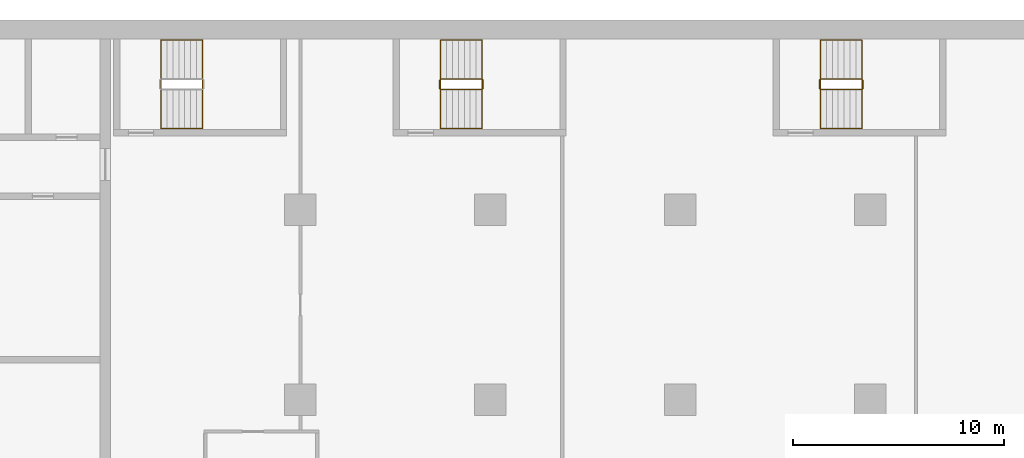
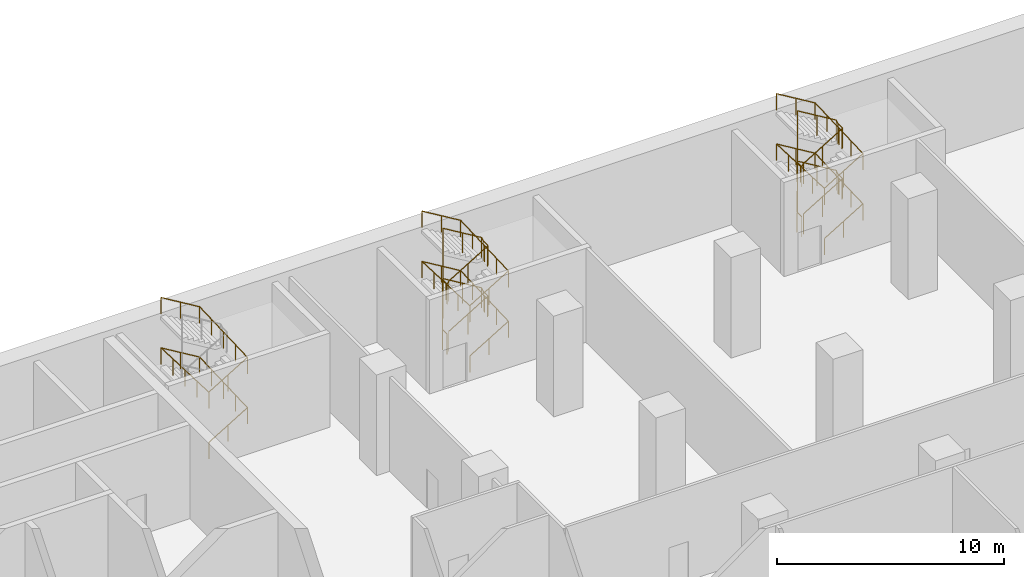
# One storey, part 36 of 43: 5 railings.
"""IFC4 building model written with IfcOpenShell, lengths in metres."""

from ifc_helpers import new_model, si_unit, direction, frame, origin, origin_2d, place, context, subcontext, project, spatial, circle, extrude, material, type_object, element, save


model = new_model("IFC4")

# Units and contexts
model_context = context("Model", 3, precision=1e-05, world=origin(), true_north=direction((0.0, 1.0)))
body_context = subcontext(model_context, "Body", "Model", "MODEL_VIEW")
ifc_project = project(units=[si_unit("LENGTHUNIT", "METRE"), si_unit("AREAUNIT", "SQUARE_METRE"), si_unit("VOLUMEUNIT", "CUBIC_METRE"), si_unit("PLANEANGLEUNIT", "RADIAN"), si_unit("MASSUNIT", "GRAM", prefix="KILO")], contexts=[model_context])

# Site, building, storey
site_placement = place(None, origin())
site = spatial("IfcSite", under=ifc_project, at=site_placement, CompositionType="ELEMENT")
building_placement = place(site_placement, origin())
building = spatial("IfcBuilding", under=site, at=building_placement, Name="Hunhe Ridgeline Campus", CompositionType="ELEMENT")
storey_placement = place(building_placement, frame((0.0, 0.0, 11.39990234375)))
storey = spatial("IfcBuildingStorey", under=building, at=storey_placement, Name="L02", CompositionType="ELEMENT", Elevation=11.39990234375)

# Railings
ifc_material_1 = material(Name="Stainless steel balustrade", Category="steel")
railing_type_1 = type_object("IfcRailingType", Name="Stair guard 1100 stainless", PredefinedType="GUARDRAIL", material=ifc_material_1)
railing_1_placement = place(storey_placement, frame((51.64990234375, 95.699951171875, 0.1689453125)))
element("IfcRailing", 1, at=railing_1_placement, inside=storey, type_object=railing_type_1, Name="L02 stair E2 guard", PredefinedType="GUARDRAIL", context=body_context, shape_type="SweptSolid", body=[
    extrude(circle(Radius=0.02392578125, at=origin_2d()), frame((0.0, 0.0, 1.076171875), z_axis=(0.856521883693, 0.0, 0.516110707847), x_axis=(0.0, 1.0, 0.0)), (0.0, 0.0, 1.0), 2.28857421875),
    extrude(circle(Radius=0.02392578125, at=origin_2d()), frame((1.960205078125, 0.0, 2.25732421875), z_axis=(0.705375805398, 0.708833529934, 0.0), x_axis=(-0.708833529934, 0.705375805398, 0.0)), (0.0, 0.0, 1.0), 0.070556640625),
    extrude(circle(Radius=0.02392578125, at=origin_2d()), frame((2.010009765625, 0.050048828125, 2.25732421875), z_axis=(0.0, 1.0, 0.0), x_axis=(-1.0, 0.0, 0.0)), (0.0, 0.0, 1.0), 0.39990234375),
    extrude(circle(Radius=0.02392578125, at=origin_2d()), frame((2.010009765625, 0.449951171875, 2.25732421875), z_axis=(-0.272333783174, 0.273668752699, 0.922463942026), x_axis=(-0.708833529934, -0.705375805398, 0.0)), (0.0, 0.0, 1.0), 0.182861328125),
    extrude(circle(Radius=0.02392578125, at=origin_2d()), frame((1.960205078125, 0.5, 2.42578125), z_axis=(-0.856474724393, 0.0, 0.516188963923), x_axis=(0.0, -1.0, 0.0)), (0.0, 0.0, 1.0), 2.28857421875),
    extrude(circle(Radius=0.02392578125, at=origin_2d()), frame((0.0, 0.5, 3.607421875), z_axis=(-0.705375805398, -0.708833529934, 0.0), x_axis=(0.708833529934, -0.705375805398, 0.0)), (0.0, 0.0, 1.0), 0.070556640625),
    extrude(circle(Radius=0.02392578125, at=origin_2d()), frame((-0.0498046875, 0.449951171875, 3.607421875), z_axis=(0.0, -1.0, 0.0), x_axis=(1.0, 0.0, 0.0)), (0.0, 0.0, 1.0), 0.39990234375),
    extrude(circle(Radius=0.02392578125, at=origin_2d()), frame((-0.0498046875, 0.050048828125, 3.607421875), z_axis=(0.272333783174, -0.273668752699, 0.922463942026), x_axis=(0.708833529934, 0.705375805398, 0.0)), (0.0, 0.0, 1.0), 0.182861328125),
    extrude(circle(Radius=0.02392578125, at=origin_2d()), frame((0.0, 0.0, 3.77587890625), z_axis=(0.856521883693, 0.0, 0.516110707847), x_axis=(0.0, 1.0, 0.0)), (0.0, 0.0, 1.0), 2.28857421875),
    extrude(circle(Radius=0.02392578125, at=origin_2d()), frame((1.960205078125, 0.0, 4.95703125), z_axis=(0.705375805398, 0.708833529934, 0.0), x_axis=(-0.708833529934, 0.705375805398, 0.0)), (0.0, 0.0, 1.0), 0.070556640625),
    extrude(circle(Radius=0.02392578125, at=origin_2d()), frame((2.010009765625, 0.050048828125, 4.95703125), z_axis=(0.0, 1.0, 0.0), x_axis=(-1.0, 0.0, 0.0)), (0.0, 0.0, 1.0), 0.39990234375),
    extrude(circle(Radius=0.02392578125, at=origin_2d()), frame((2.010009765625, 0.449951171875, 4.95703125), z_axis=(-0.272333783174, 0.273668752699, 0.922463942026), x_axis=(-0.708833529934, -0.705375805398, 0.0)), (0.0, 0.0, 1.0), 0.182861328125),
    extrude(circle(Radius=0.02392578125, at=origin_2d()), frame((1.960205078125, 0.5, 5.1259765625), z_axis=(-0.856474724393, 0.0, 0.516188963923), x_axis=(0.0, -1.0, 0.0)), (0.0, 0.0, 1.0), 2.28857421875),
    extrude(circle(Radius=0.02392578125, at=origin_2d()), frame((0.0, 0.5, 6.30712890625), z_axis=(-0.009222051836, -0.009267257973, -0.999914532192), x_axis=(1.0, 0.0, 0.0)), (0.0, 0.0, 1.0), 5.400634765625),
    extrude(circle(Radius=0.02392578125, at=origin_2d()), frame((-0.0498046875, 0.449951171875, 0.9072265625), z_axis=(0.0, -1.0, 0.0), x_axis=(1.0, 0.0, 0.0)), (0.0, 0.0, 1.0), 0.39990234375),
    extrude(circle(Radius=0.02099609375, at=origin_2d()), origin(), (0.0, 0.0, 1.0), 1.052001953125),
    extrude(circle(Radius=0.02099609375, at=origin_2d()), frame((0.97998046875, 0.0, 0.590576171875)), (0.0, 0.0, 1.0), 1.052001953125),
    extrude(circle(Radius=0.02099609375, at=origin_2d()), frame((1.960205078125, 0.0, 1.18115234375)), (0.0, 0.0, 1.0), 1.052001953125),
    extrude(circle(Radius=0.02099609375, at=origin_2d()), frame((2.010009765625, 0.050048828125, 1.18115234375)), (0.0, 0.0, 1.0), 1.052001953125),
    extrude(circle(Radius=0.02099609375, at=origin_2d()), frame((2.010009765625, 0.449951171875, 1.18115234375)), (0.0, 0.0, 1.0), 1.052001953125),
    extrude(circle(Radius=0.02099609375, at=origin_2d()), frame((1.960205078125, 0.5, 1.349853515625)), (0.0, 0.0, 1.0), 1.052001953125),
    extrude(circle(Radius=0.02099609375, at=origin_2d()), frame((0.97998046875, 0.5, 1.9404296875)), (0.0, 0.0, 1.0), 1.052001953125),
    extrude(circle(Radius=0.02099609375, at=origin_2d()), frame((0.0, 0.5, 2.53125)), (0.0, 0.0, 1.0), 1.052001953125),
    extrude(circle(Radius=0.02099609375, at=origin_2d()), frame((-0.0498046875, 0.449951171875, 2.53125)), (0.0, 0.0, 1.0), 1.052001953125),
    extrude(circle(Radius=0.02099609375, at=origin_2d()), frame((-0.0498046875, 0.050048828125, 2.53125)), (0.0, 0.0, 1.0), 1.052001953125),
    extrude(circle(Radius=0.02099609375, at=origin_2d()), frame((0.0, 0.0, 2.699951171875)), (0.0, 0.0, 1.0), 1.052001953125),
    extrude(circle(Radius=0.02099609375, at=origin_2d()), frame((0.97998046875, 0.0, 3.29052734375)), (0.0, 0.0, 1.0), 1.052001953125),
    extrude(circle(Radius=0.02099609375, at=origin_2d()), frame((1.960205078125, 0.0, 3.881103515625)), (0.0, 0.0, 1.0), 1.052001953125),
    extrude(circle(Radius=0.02099609375, at=origin_2d()), frame((2.010009765625, 0.050048828125, 3.881103515625)), (0.0, 0.0, 1.0), 1.052001953125),
    extrude(circle(Radius=0.02099609375, at=origin_2d()), frame((2.010009765625, 0.449951171875, 3.881103515625)), (0.0, 0.0, 1.0), 1.052001953125),
    extrude(circle(Radius=0.02099609375, at=origin_2d()), frame((1.960205078125, 0.5, 4.0498046875)), (0.0, 0.0, 1.0), 1.052001953125),
    extrude(circle(Radius=0.02099609375, at=origin_2d()), frame((0.97998046875, 0.5, 4.640625)), (0.0, 0.0, 1.0), 1.052001953125),
    extrude(circle(Radius=0.02099609375, at=origin_2d()), frame((0.0, 0.5, 5.231201171875)), (0.0, 0.0, 1.0), 1.052001953125),
    extrude(circle(Radius=0.02099609375, at=origin_2d()), frame((-0.010009765625, 0.489990234375, 4.151123046875)), (0.0, 0.0, 1.0), 1.052001953125),
    extrude(circle(Radius=0.02099609375, at=origin_2d()), frame((-0.02001953125, 0.47998046875, 3.071044921875)), (0.0, 0.0, 1.0), 1.052001953125),
    extrude(circle(Radius=0.02099609375, at=origin_2d()), frame((-0.02978515625, 0.469970703125, 1.9912109375)), (0.0, 0.0, 1.0), 1.052001953125),
    extrude(circle(Radius=0.02099609375, at=origin_2d()), frame((-0.039794921875, 0.4599609375, 0.9111328125)), (0.0, 0.0, 1.0), 1.052001953125),
    extrude(circle(Radius=0.02099609375, at=origin_2d()), frame((-0.0498046875, 0.449951171875, -0.1689453125)), (0.0, 0.0, 1.0), 1.052001953125),
    extrude(circle(Radius=0.02099609375, at=origin_2d()), frame((-0.0498046875, 0.050048828125, -0.1689453125)), (0.0, 0.0, 1.0), 1.052001953125),
])
railing_2_placement = place(storey_placement, frame((69.64990234375, 95.699951171875, 0.1689453125)))
element("IfcRailing", 2, at=railing_2_placement, inside=storey, type_object=railing_type_1, Name="L02 stair E3 guard", PredefinedType="GUARDRAIL", context=body_context, shape_type="SweptSolid", body=[
    extrude(circle(Radius=0.02392578125, at=origin_2d()), frame((0.0, 0.0, 1.076171875), z_axis=(0.856521883693, 0.0, 0.516110707847), x_axis=(0.0, 1.0, 0.0)), (0.0, 0.0, 1.0), 2.28857421875),
    extrude(circle(Radius=0.02392578125, at=origin_2d()), frame((1.960205078125, 0.0, 2.25732421875), z_axis=(0.705375805398, 0.708833529934, 0.0), x_axis=(-0.708833529934, 0.705375805398, 0.0)), (0.0, 0.0, 1.0), 0.070556640625),
    extrude(circle(Radius=0.02392578125, at=origin_2d()), frame((2.010009765625, 0.050048828125, 2.25732421875), z_axis=(0.0, 1.0, 0.0), x_axis=(-1.0, 0.0, 0.0)), (0.0, 0.0, 1.0), 0.39990234375),
    extrude(circle(Radius=0.02392578125, at=origin_2d()), frame((2.010009765625, 0.449951171875, 2.25732421875), z_axis=(-0.272333783174, 0.273668752699, 0.922463942026), x_axis=(-0.708833529934, -0.705375805398, 0.0)), (0.0, 0.0, 1.0), 0.182861328125),
    extrude(circle(Radius=0.02392578125, at=origin_2d()), frame((1.960205078125, 0.5, 2.42578125), z_axis=(-0.856474724393, 0.0, 0.516188963923), x_axis=(0.0, -1.0, 0.0)), (0.0, 0.0, 1.0), 2.28857421875),
    extrude(circle(Radius=0.02392578125, at=origin_2d()), frame((0.0, 0.5, 3.607421875), z_axis=(-0.705375805398, -0.708833529934, 0.0), x_axis=(0.708833529934, -0.705375805398, 0.0)), (0.0, 0.0, 1.0), 0.070556640625),
    extrude(circle(Radius=0.02392578125, at=origin_2d()), frame((-0.0498046875, 0.449951171875, 3.607421875), z_axis=(0.0, -1.0, 0.0), x_axis=(1.0, 0.0, 0.0)), (0.0, 0.0, 1.0), 0.39990234375),
    extrude(circle(Radius=0.02392578125, at=origin_2d()), frame((-0.0498046875, 0.050048828125, 3.607421875), z_axis=(0.272333783174, -0.273668752699, 0.922463942026), x_axis=(0.708833529934, 0.705375805398, 0.0)), (0.0, 0.0, 1.0), 0.182861328125),
    extrude(circle(Radius=0.02392578125, at=origin_2d()), frame((0.0, 0.0, 3.77587890625), z_axis=(0.856521883693, 0.0, 0.516110707847), x_axis=(0.0, 1.0, 0.0)), (0.0, 0.0, 1.0), 2.28857421875),
    extrude(circle(Radius=0.02392578125, at=origin_2d()), frame((1.960205078125, 0.0, 4.95703125), z_axis=(0.705375805398, 0.708833529934, 0.0), x_axis=(-0.708833529934, 0.705375805398, 0.0)), (0.0, 0.0, 1.0), 0.070556640625),
    extrude(circle(Radius=0.02392578125, at=origin_2d()), frame((2.010009765625, 0.050048828125, 4.95703125), z_axis=(0.0, 1.0, 0.0), x_axis=(-1.0, 0.0, 0.0)), (0.0, 0.0, 1.0), 0.39990234375),
    extrude(circle(Radius=0.02392578125, at=origin_2d()), frame((2.010009765625, 0.449951171875, 4.95703125), z_axis=(-0.272333783174, 0.273668752699, 0.922463942026), x_axis=(-0.708833529934, -0.705375805398, 0.0)), (0.0, 0.0, 1.0), 0.182861328125),
    extrude(circle(Radius=0.02392578125, at=origin_2d()), frame((1.960205078125, 0.5, 5.1259765625), z_axis=(-0.856474724393, 0.0, 0.516188963923), x_axis=(0.0, -1.0, 0.0)), (0.0, 0.0, 1.0), 2.28857421875),
    extrude(circle(Radius=0.02392578125, at=origin_2d()), frame((0.0, 0.5, 6.30712890625), z_axis=(-0.009222051836, -0.009267257973, -0.999914532192), x_axis=(1.0, 0.0, 0.0)), (0.0, 0.0, 1.0), 5.400634765625),
    extrude(circle(Radius=0.02392578125, at=origin_2d()), frame((-0.0498046875, 0.449951171875, 0.9072265625), z_axis=(0.0, -1.0, 0.0), x_axis=(1.0, 0.0, 0.0)), (0.0, 0.0, 1.0), 0.39990234375),
    extrude(circle(Radius=0.02099609375, at=origin_2d()), origin(), (0.0, 0.0, 1.0), 1.052001953125),
    extrude(circle(Radius=0.02099609375, at=origin_2d()), frame((0.97998046875, 0.0, 0.590576171875)), (0.0, 0.0, 1.0), 1.052001953125),
    extrude(circle(Radius=0.02099609375, at=origin_2d()), frame((1.960205078125, 0.0, 1.18115234375)), (0.0, 0.0, 1.0), 1.052001953125),
    extrude(circle(Radius=0.02099609375, at=origin_2d()), frame((2.010009765625, 0.050048828125, 1.18115234375)), (0.0, 0.0, 1.0), 1.052001953125),
    extrude(circle(Radius=0.02099609375, at=origin_2d()), frame((2.010009765625, 0.449951171875, 1.18115234375)), (0.0, 0.0, 1.0), 1.052001953125),
    extrude(circle(Radius=0.02099609375, at=origin_2d()), frame((1.960205078125, 0.5, 1.349853515625)), (0.0, 0.0, 1.0), 1.052001953125),
    extrude(circle(Radius=0.02099609375, at=origin_2d()), frame((0.97998046875, 0.5, 1.9404296875)), (0.0, 0.0, 1.0), 1.052001953125),
    extrude(circle(Radius=0.02099609375, at=origin_2d()), frame((0.0, 0.5, 2.53125)), (0.0, 0.0, 1.0), 1.052001953125),
    extrude(circle(Radius=0.02099609375, at=origin_2d()), frame((-0.0498046875, 0.449951171875, 2.53125)), (0.0, 0.0, 1.0), 1.052001953125),
    extrude(circle(Radius=0.02099609375, at=origin_2d()), frame((-0.0498046875, 0.050048828125, 2.53125)), (0.0, 0.0, 1.0), 1.052001953125),
    extrude(circle(Radius=0.02099609375, at=origin_2d()), frame((0.0, 0.0, 2.699951171875)), (0.0, 0.0, 1.0), 1.052001953125),
    extrude(circle(Radius=0.02099609375, at=origin_2d()), frame((0.97998046875, 0.0, 3.29052734375)), (0.0, 0.0, 1.0), 1.052001953125),
    extrude(circle(Radius=0.02099609375, at=origin_2d()), frame((1.960205078125, 0.0, 3.881103515625)), (0.0, 0.0, 1.0), 1.052001953125),
    extrude(circle(Radius=0.02099609375, at=origin_2d()), frame((2.010009765625, 0.050048828125, 3.881103515625)), (0.0, 0.0, 1.0), 1.052001953125),
    extrude(circle(Radius=0.02099609375, at=origin_2d()), frame((2.010009765625, 0.449951171875, 3.881103515625)), (0.0, 0.0, 1.0), 1.052001953125),
    extrude(circle(Radius=0.02099609375, at=origin_2d()), frame((1.960205078125, 0.5, 4.0498046875)), (0.0, 0.0, 1.0), 1.052001953125),
    extrude(circle(Radius=0.02099609375, at=origin_2d()), frame((0.97998046875, 0.5, 4.640625)), (0.0, 0.0, 1.0), 1.052001953125),
    extrude(circle(Radius=0.02099609375, at=origin_2d()), frame((0.0, 0.5, 5.231201171875)), (0.0, 0.0, 1.0), 1.052001953125),
    extrude(circle(Radius=0.02099609375, at=origin_2d()), frame((-0.010009765625, 0.489990234375, 4.151123046875)), (0.0, 0.0, 1.0), 1.052001953125),
    extrude(circle(Radius=0.02099609375, at=origin_2d()), frame((-0.02001953125, 0.47998046875, 3.071044921875)), (0.0, 0.0, 1.0), 1.052001953125),
    extrude(circle(Radius=0.02099609375, at=origin_2d()), frame((-0.02978515625, 0.469970703125, 1.9912109375)), (0.0, 0.0, 1.0), 1.052001953125),
    extrude(circle(Radius=0.02099609375, at=origin_2d()), frame((-0.039794921875, 0.4599609375, 0.9111328125)), (0.0, 0.0, 1.0), 1.052001953125),
    extrude(circle(Radius=0.02099609375, at=origin_2d()), frame((-0.0498046875, 0.449951171875, -0.1689453125)), (0.0, 0.0, 1.0), 1.052001953125),
    extrude(circle(Radius=0.02099609375, at=origin_2d()), frame((-0.0498046875, 0.050048828125, -0.1689453125)), (0.0, 0.0, 1.0), 1.052001953125),
])
ifc_material_2 = material(Name="Stainless steel handrail", Category="steel")
railing_type_2 = type_object("IfcRailingType", Name="Stair handrail 900 stainless", PredefinedType="HANDRAIL", material=ifc_material_2)
railing_3_placement = place(storey_placement, frame((38.39990234375, 93.85009765625, 0.1689453125)))
element("IfcRailing", 3, at=railing_3_placement, inside=storey, type_object=railing_type_2, Name="L02 stair E1 handrail", PredefinedType="HANDRAIL", context=body_context, shape_type="SweptSolid", body=[
    extrude(circle(Radius=0.02392578125, at=origin_2d()), frame((0.0, 0.0, 0.8759765625), z_axis=(0.856521883693, 0.0, 0.516110707847), x_axis=(0.0, 1.0, 0.0)), (0.0, 0.0, 1.0), 2.28857421875),
    extrude(circle(Radius=0.02392578125, at=origin_2d()), frame((1.960205078125, 0.0, 2.05712890625), z_axis=(0.0, 0.999194264342, 0.040135048344), x_axis=(-1.0, 0.0, 0.0)), (0.0, 0.0, 1.0), 4.203369140625),
    extrude(circle(Radius=0.02392578125, at=origin_2d()), frame((1.960205078125, 4.199951171875, 2.2255859375), z_axis=(-0.856474724393, 0.0, 0.516188963923), x_axis=(0.0, -1.0, 0.0)), (0.0, 0.0, 1.0), 2.28857421875),
    extrude(circle(Radius=0.02392578125, at=origin_2d()), frame((0.0, 4.199951171875, 3.4072265625), z_axis=(0.0, -0.999194264342, 0.040135048344), x_axis=(1.0, 0.0, 0.0)), (0.0, 0.0, 1.0), 4.203369140625),
    extrude(circle(Radius=0.02392578125, at=origin_2d()), frame((0.0, 0.0, 3.57568359375), z_axis=(0.856521883693, 0.0, 0.516110707847), x_axis=(0.0, 1.0, 0.0)), (0.0, 0.0, 1.0), 2.28857421875),
    extrude(circle(Radius=0.02392578125, at=origin_2d()), frame((1.960205078125, 0.0, 4.7568359375), z_axis=(0.0, 0.999194264342, 0.040135048344), x_axis=(-1.0, 0.0, 0.0)), (0.0, 0.0, 1.0), 4.203369140625),
    extrude(circle(Radius=0.02392578125, at=origin_2d()), frame((1.960205078125, 4.199951171875, 4.92578125), z_axis=(-0.856474724393, 0.0, 0.516188963923), x_axis=(0.0, -1.0, 0.0)), (0.0, 0.0, 1.0), 2.28857421875),
    extrude(circle(Radius=0.02099609375, at=origin_2d()), origin(), (0.0, 0.0, 1.0), 0.851806640625),
    extrude(circle(Radius=0.02099609375, at=origin_2d()), frame((0.97998046875, 0.0, 0.590576171875)), (0.0, 0.0, 1.0), 0.851806640625),
    extrude(circle(Radius=0.02099609375, at=origin_2d()), frame((1.960205078125, 0.0, 1.18115234375)), (0.0, 0.0, 1.0), 0.851806640625),
    extrude(circle(Radius=0.02099609375, at=origin_2d()), frame((1.960205078125, 1.050048828125, 1.223388671875)), (0.0, 0.0, 1.0), 0.851806640625),
    extrude(circle(Radius=0.02099609375, at=origin_2d()), frame((1.960205078125, 2.10009765625, 1.265625)), (0.0, 0.0, 1.0), 0.851806640625),
    extrude(circle(Radius=0.02099609375, at=origin_2d()), frame((1.960205078125, 3.14990234375, 1.3076171875)), (0.0, 0.0, 1.0), 0.851806640625),
    extrude(circle(Radius=0.02099609375, at=origin_2d()), frame((1.960205078125, 4.199951171875, 1.349853515625)), (0.0, 0.0, 1.0), 0.851806640625),
    extrude(circle(Radius=0.02099609375, at=origin_2d()), frame((0.97998046875, 4.199951171875, 1.9404296875)), (0.0, 0.0, 1.0), 0.851806640625),
    extrude(circle(Radius=0.02099609375, at=origin_2d()), frame((0.0, 4.199951171875, 2.53125)), (0.0, 0.0, 1.0), 0.851806640625),
    extrude(circle(Radius=0.02099609375, at=origin_2d()), frame((0.0, 3.14990234375, 2.573486328125)), (0.0, 0.0, 1.0), 0.851806640625),
    extrude(circle(Radius=0.02099609375, at=origin_2d()), frame((0.0, 2.10009765625, 2.61572265625)), (0.0, 0.0, 1.0), 0.851806640625),
    extrude(circle(Radius=0.02099609375, at=origin_2d()), frame((0.0, 1.050048828125, 2.65771484375)), (0.0, 0.0, 1.0), 0.851806640625),
    extrude(circle(Radius=0.02099609375, at=origin_2d()), frame((0.0, 0.0, 2.699951171875)), (0.0, 0.0, 1.0), 0.851806640625),
    extrude(circle(Radius=0.02099609375, at=origin_2d()), frame((0.97998046875, 0.0, 3.29052734375)), (0.0, 0.0, 1.0), 0.851806640625),
    extrude(circle(Radius=0.02099609375, at=origin_2d()), frame((1.960205078125, 0.0, 3.881103515625)), (0.0, 0.0, 1.0), 0.851806640625),
    extrude(circle(Radius=0.02099609375, at=origin_2d()), frame((1.960205078125, 1.050048828125, 3.92333984375)), (0.0, 0.0, 1.0), 0.851806640625),
    extrude(circle(Radius=0.02099609375, at=origin_2d()), frame((1.960205078125, 2.10009765625, 3.96533203125)), (0.0, 0.0, 1.0), 0.851806640625),
    extrude(circle(Radius=0.02099609375, at=origin_2d()), frame((1.960205078125, 3.14990234375, 4.007568359375)), (0.0, 0.0, 1.0), 0.851806640625),
    extrude(circle(Radius=0.02099609375, at=origin_2d()), frame((1.960205078125, 4.199951171875, 4.0498046875)), (0.0, 0.0, 1.0), 0.851806640625),
    extrude(circle(Radius=0.02099609375, at=origin_2d()), frame((0.97998046875, 4.199951171875, 4.640625)), (0.0, 0.0, 1.0), 0.851806640625),
    extrude(circle(Radius=0.02099609375, at=origin_2d()), frame((0.0, 4.199951171875, 5.231201171875)), (0.0, 0.0, 1.0), 0.851806640625),
])
railing_4_placement = place(storey_placement, frame((51.64990234375, 93.85009765625, 0.1689453125)))
element("IfcRailing", 4, at=railing_4_placement, inside=storey, type_object=railing_type_2, Name="L02 stair E2 handrail", PredefinedType="HANDRAIL", context=body_context, shape_type="SweptSolid", body=[
    extrude(circle(Radius=0.02392578125, at=origin_2d()), frame((0.0, 0.0, 0.8759765625), z_axis=(0.856521883693, 0.0, 0.516110707847), x_axis=(0.0, 1.0, 0.0)), (0.0, 0.0, 1.0), 2.28857421875),
    extrude(circle(Radius=0.02392578125, at=origin_2d()), frame((1.960205078125, 0.0, 2.05712890625), z_axis=(0.0, 0.999194264342, 0.040135048344), x_axis=(-1.0, 0.0, 0.0)), (0.0, 0.0, 1.0), 4.203369140625),
    extrude(circle(Radius=0.02392578125, at=origin_2d()), frame((1.960205078125, 4.199951171875, 2.2255859375), z_axis=(-0.856474724393, 0.0, 0.516188963923), x_axis=(0.0, -1.0, 0.0)), (0.0, 0.0, 1.0), 2.28857421875),
    extrude(circle(Radius=0.02392578125, at=origin_2d()), frame((0.0, 4.199951171875, 3.4072265625), z_axis=(0.0, -0.999194264342, 0.040135048344), x_axis=(1.0, 0.0, 0.0)), (0.0, 0.0, 1.0), 4.203369140625),
    extrude(circle(Radius=0.02392578125, at=origin_2d()), frame((0.0, 0.0, 3.57568359375), z_axis=(0.856521883693, 0.0, 0.516110707847), x_axis=(0.0, 1.0, 0.0)), (0.0, 0.0, 1.0), 2.28857421875),
    extrude(circle(Radius=0.02392578125, at=origin_2d()), frame((1.960205078125, 0.0, 4.7568359375), z_axis=(0.0, 0.999194264342, 0.040135048344), x_axis=(-1.0, 0.0, 0.0)), (0.0, 0.0, 1.0), 4.203369140625),
    extrude(circle(Radius=0.02392578125, at=origin_2d()), frame((1.960205078125, 4.199951171875, 4.92578125), z_axis=(-0.856474724393, 0.0, 0.516188963923), x_axis=(0.0, -1.0, 0.0)), (0.0, 0.0, 1.0), 2.28857421875),
    extrude(circle(Radius=0.02099609375, at=origin_2d()), origin(), (0.0, 0.0, 1.0), 0.851806640625),
    extrude(circle(Radius=0.02099609375, at=origin_2d()), frame((0.97998046875, 0.0, 0.590576171875)), (0.0, 0.0, 1.0), 0.851806640625),
    extrude(circle(Radius=0.02099609375, at=origin_2d()), frame((1.960205078125, 0.0, 1.18115234375)), (0.0, 0.0, 1.0), 0.851806640625),
    extrude(circle(Radius=0.02099609375, at=origin_2d()), frame((1.960205078125, 1.050048828125, 1.223388671875)), (0.0, 0.0, 1.0), 0.851806640625),
    extrude(circle(Radius=0.02099609375, at=origin_2d()), frame((1.960205078125, 2.10009765625, 1.265625)), (0.0, 0.0, 1.0), 0.851806640625),
    extrude(circle(Radius=0.02099609375, at=origin_2d()), frame((1.960205078125, 3.14990234375, 1.3076171875)), (0.0, 0.0, 1.0), 0.851806640625),
    extrude(circle(Radius=0.02099609375, at=origin_2d()), frame((1.960205078125, 4.199951171875, 1.349853515625)), (0.0, 0.0, 1.0), 0.851806640625),
    extrude(circle(Radius=0.02099609375, at=origin_2d()), frame((0.97998046875, 4.199951171875, 1.9404296875)), (0.0, 0.0, 1.0), 0.851806640625),
    extrude(circle(Radius=0.02099609375, at=origin_2d()), frame((0.0, 4.199951171875, 2.53125)), (0.0, 0.0, 1.0), 0.851806640625),
    extrude(circle(Radius=0.02099609375, at=origin_2d()), frame((0.0, 3.14990234375, 2.573486328125)), (0.0, 0.0, 1.0), 0.851806640625),
    extrude(circle(Radius=0.02099609375, at=origin_2d()), frame((0.0, 2.10009765625, 2.61572265625)), (0.0, 0.0, 1.0), 0.851806640625),
    extrude(circle(Radius=0.02099609375, at=origin_2d()), frame((0.0, 1.050048828125, 2.65771484375)), (0.0, 0.0, 1.0), 0.851806640625),
    extrude(circle(Radius=0.02099609375, at=origin_2d()), frame((0.0, 0.0, 2.699951171875)), (0.0, 0.0, 1.0), 0.851806640625),
    extrude(circle(Radius=0.02099609375, at=origin_2d()), frame((0.97998046875, 0.0, 3.29052734375)), (0.0, 0.0, 1.0), 0.851806640625),
    extrude(circle(Radius=0.02099609375, at=origin_2d()), frame((1.960205078125, 0.0, 3.881103515625)), (0.0, 0.0, 1.0), 0.851806640625),
    extrude(circle(Radius=0.02099609375, at=origin_2d()), frame((1.960205078125, 1.050048828125, 3.92333984375)), (0.0, 0.0, 1.0), 0.851806640625),
    extrude(circle(Radius=0.02099609375, at=origin_2d()), frame((1.960205078125, 2.10009765625, 3.96533203125)), (0.0, 0.0, 1.0), 0.851806640625),
    extrude(circle(Radius=0.02099609375, at=origin_2d()), frame((1.960205078125, 3.14990234375, 4.007568359375)), (0.0, 0.0, 1.0), 0.851806640625),
    extrude(circle(Radius=0.02099609375, at=origin_2d()), frame((1.960205078125, 4.199951171875, 4.0498046875)), (0.0, 0.0, 1.0), 0.851806640625),
    extrude(circle(Radius=0.02099609375, at=origin_2d()), frame((0.97998046875, 4.199951171875, 4.640625)), (0.0, 0.0, 1.0), 0.851806640625),
    extrude(circle(Radius=0.02099609375, at=origin_2d()), frame((0.0, 4.199951171875, 5.231201171875)), (0.0, 0.0, 1.0), 0.851806640625),
])
railing_5_placement = place(storey_placement, frame((69.64990234375, 93.85009765625, 0.1689453125)))
element("IfcRailing", 5, at=railing_5_placement, inside=storey, type_object=railing_type_2, Name="L02 stair E3 handrail", PredefinedType="HANDRAIL", context=body_context, shape_type="SweptSolid", body=[
    extrude(circle(Radius=0.02392578125, at=origin_2d()), frame((0.0, 0.0, 0.8759765625), z_axis=(0.856521883693, 0.0, 0.516110707847), x_axis=(0.0, 1.0, 0.0)), (0.0, 0.0, 1.0), 2.28857421875),
    extrude(circle(Radius=0.02392578125, at=origin_2d()), frame((1.960205078125, 0.0, 2.05712890625), z_axis=(0.0, 0.999194264342, 0.040135048344), x_axis=(-1.0, 0.0, 0.0)), (0.0, 0.0, 1.0), 4.203369140625),
    extrude(circle(Radius=0.02392578125, at=origin_2d()), frame((1.960205078125, 4.199951171875, 2.2255859375), z_axis=(-0.856474724393, 0.0, 0.516188963923), x_axis=(0.0, -1.0, 0.0)), (0.0, 0.0, 1.0), 2.28857421875),
    extrude(circle(Radius=0.02392578125, at=origin_2d()), frame((0.0, 4.199951171875, 3.4072265625), z_axis=(0.0, -0.999194264342, 0.040135048344), x_axis=(1.0, 0.0, 0.0)), (0.0, 0.0, 1.0), 4.203369140625),
    extrude(circle(Radius=0.02392578125, at=origin_2d()), frame((0.0, 0.0, 3.57568359375), z_axis=(0.856521883693, 0.0, 0.516110707847), x_axis=(0.0, 1.0, 0.0)), (0.0, 0.0, 1.0), 2.28857421875),
    extrude(circle(Radius=0.02392578125, at=origin_2d()), frame((1.960205078125, 0.0, 4.7568359375), z_axis=(0.0, 0.999194264342, 0.040135048344), x_axis=(-1.0, 0.0, 0.0)), (0.0, 0.0, 1.0), 4.203369140625),
    extrude(circle(Radius=0.02392578125, at=origin_2d()), frame((1.960205078125, 4.199951171875, 4.92578125), z_axis=(-0.856474724393, 0.0, 0.516188963923), x_axis=(0.0, -1.0, 0.0)), (0.0, 0.0, 1.0), 2.28857421875),
    extrude(circle(Radius=0.02099609375, at=origin_2d()), origin(), (0.0, 0.0, 1.0), 0.851806640625),
    extrude(circle(Radius=0.02099609375, at=origin_2d()), frame((0.97998046875, 0.0, 0.590576171875)), (0.0, 0.0, 1.0), 0.851806640625),
    extrude(circle(Radius=0.02099609375, at=origin_2d()), frame((1.960205078125, 0.0, 1.18115234375)), (0.0, 0.0, 1.0), 0.851806640625),
    extrude(circle(Radius=0.02099609375, at=origin_2d()), frame((1.960205078125, 1.050048828125, 1.223388671875)), (0.0, 0.0, 1.0), 0.851806640625),
    extrude(circle(Radius=0.02099609375, at=origin_2d()), frame((1.960205078125, 2.10009765625, 1.265625)), (0.0, 0.0, 1.0), 0.851806640625),
    extrude(circle(Radius=0.02099609375, at=origin_2d()), frame((1.960205078125, 3.14990234375, 1.3076171875)), (0.0, 0.0, 1.0), 0.851806640625),
    extrude(circle(Radius=0.02099609375, at=origin_2d()), frame((1.960205078125, 4.199951171875, 1.349853515625)), (0.0, 0.0, 1.0), 0.851806640625),
    extrude(circle(Radius=0.02099609375, at=origin_2d()), frame((0.97998046875, 4.199951171875, 1.9404296875)), (0.0, 0.0, 1.0), 0.851806640625),
    extrude(circle(Radius=0.02099609375, at=origin_2d()), frame((0.0, 4.199951171875, 2.53125)), (0.0, 0.0, 1.0), 0.851806640625),
    extrude(circle(Radius=0.02099609375, at=origin_2d()), frame((0.0, 3.14990234375, 2.573486328125)), (0.0, 0.0, 1.0), 0.851806640625),
    extrude(circle(Radius=0.02099609375, at=origin_2d()), frame((0.0, 2.10009765625, 2.61572265625)), (0.0, 0.0, 1.0), 0.851806640625),
    extrude(circle(Radius=0.02099609375, at=origin_2d()), frame((0.0, 1.050048828125, 2.65771484375)), (0.0, 0.0, 1.0), 0.851806640625),
    extrude(circle(Radius=0.02099609375, at=origin_2d()), frame((0.0, 0.0, 2.699951171875)), (0.0, 0.0, 1.0), 0.851806640625),
    extrude(circle(Radius=0.02099609375, at=origin_2d()), frame((0.97998046875, 0.0, 3.29052734375)), (0.0, 0.0, 1.0), 0.851806640625),
    extrude(circle(Radius=0.02099609375, at=origin_2d()), frame((1.960205078125, 0.0, 3.881103515625)), (0.0, 0.0, 1.0), 0.851806640625),
    extrude(circle(Radius=0.02099609375, at=origin_2d()), frame((1.960205078125, 1.050048828125, 3.92333984375)), (0.0, 0.0, 1.0), 0.851806640625),
    extrude(circle(Radius=0.02099609375, at=origin_2d()), frame((1.960205078125, 2.10009765625, 3.96533203125)), (0.0, 0.0, 1.0), 0.851806640625),
    extrude(circle(Radius=0.02099609375, at=origin_2d()), frame((1.960205078125, 3.14990234375, 4.007568359375)), (0.0, 0.0, 1.0), 0.851806640625),
    extrude(circle(Radius=0.02099609375, at=origin_2d()), frame((1.960205078125, 4.199951171875, 4.0498046875)), (0.0, 0.0, 1.0), 0.851806640625),
    extrude(circle(Radius=0.02099609375, at=origin_2d()), frame((0.97998046875, 4.199951171875, 4.640625)), (0.0, 0.0, 1.0), 0.851806640625),
    extrude(circle(Radius=0.02099609375, at=origin_2d()), frame((0.0, 4.199951171875, 5.231201171875)), (0.0, 0.0, 1.0), 0.851806640625),
])

save(model, "model.ifc")
